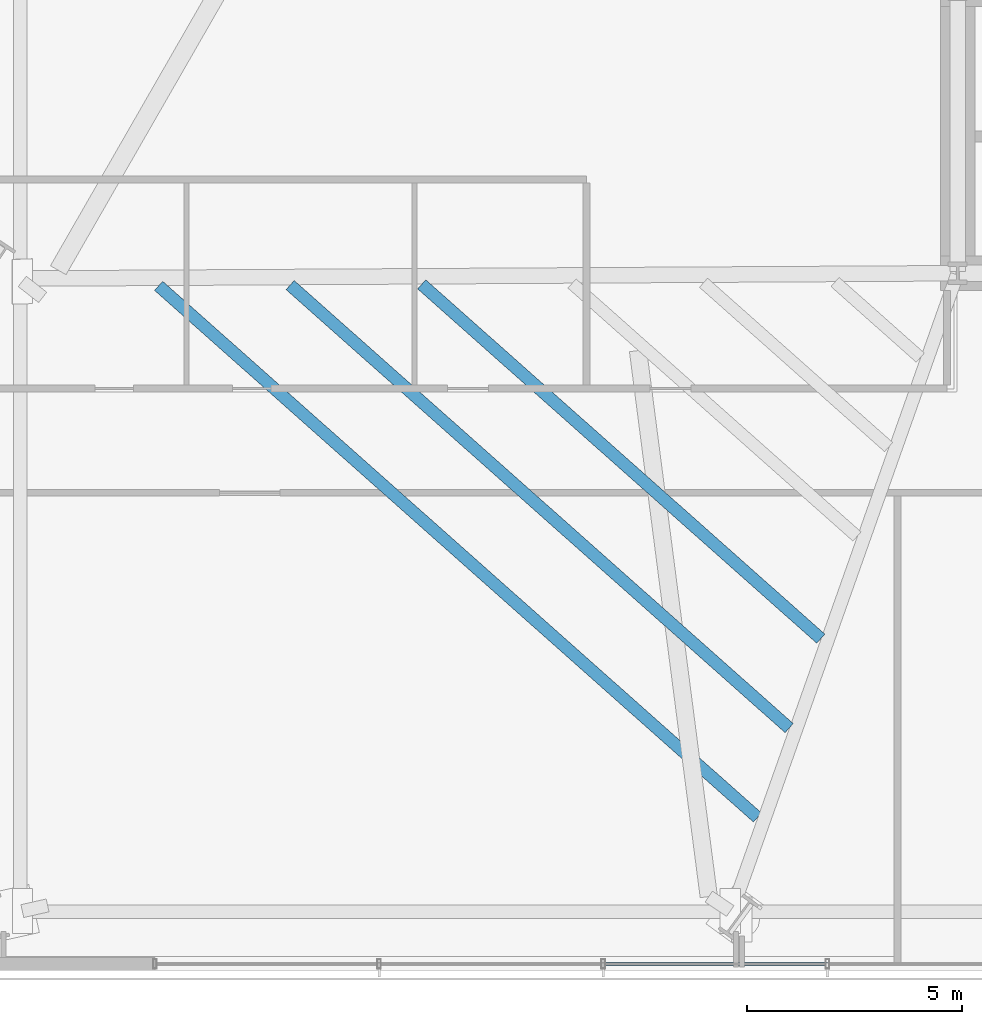
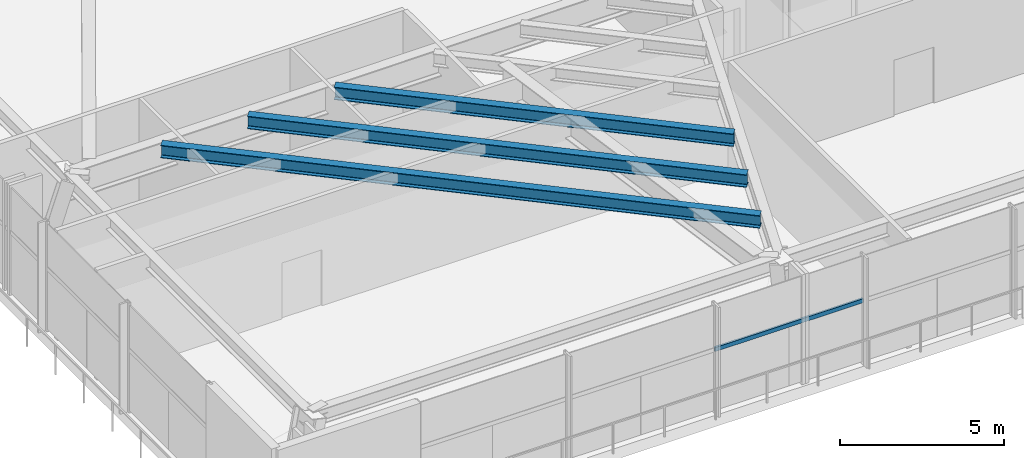
# One storey, part 5 of 33: 3 beams, 1 member, 1 element without a shape of its own.
"""IFC4 building model written with IfcOpenShell, lengths in metres."""

from ifc_helpers import new_model, si_unit, direction, frame, origin, origin_2d, place, context, subcontext, project, spatial, hollow_rectangle, i_section, extrude, source, transform, mapped, material, material_profile, profile_set, type_object, type_shapes, element, aggregate, save


model = new_model("IFC4")

# Units and contexts
model_context = context("Model", 3, precision=1e-05, world=origin(), true_north=direction((0.0, 1.0)))
body_context = subcontext(model_context, "Body", "Model", "MODEL_VIEW")
ifc_project = project(units=[si_unit("LENGTHUNIT", "METRE"), si_unit("AREAUNIT", "SQUARE_METRE"), si_unit("VOLUMEUNIT", "CUBIC_METRE"), si_unit("PLANEANGLEUNIT", "RADIAN"), si_unit("MASSUNIT", "GRAM", prefix="KILO")], contexts=[model_context])

# Site, building, storey
site_placement = place(None, origin())
site = spatial("IfcSite", under=ifc_project, at=site_placement, CompositionType="ELEMENT")
building_placement = place(site_placement, origin())
building = spatial("IfcBuilding", under=site, at=building_placement, Name="Astriad Promenade Condominiums", CompositionType="ELEMENT")
storey_placement = place(building_placement, frame((0.0, 0.0, 9.5)))
storey = spatial("IfcBuildingStorey", under=building, at=storey_placement, Name="L02", CompositionType="ELEMENT", Elevation=9.5)

# Beams
ifc_material_1 = material(Name="Steel ASTM A992 Grade 50", Category="steel")
ifc_material_profile_1 = material_profile(ifc_material_1, i_section(OverallWidth=0.283203125, OverallDepth=0.47216796875, WebThickness=0.013671875, FlangeThickness=0.022216796875, FilletRadius=0.01513671875, at=origin_2d()), Name="W18X97")
ifc_profile_set_1 = profile_set([ifc_material_profile_1], Name="Steel ASTM A992 Grade 50")
beam_type = type_object("IfcBeamType", Name="STEEL FLOOR JOIST W18X97", PredefinedType="JOIST", material=ifc_profile_set_1)
shared_shape_1 = source(origin(), body_context, "Body", "SweptSolid", [
    extrude(i_section(OverallWidth=0.283203125, OverallDepth=0.47216796875, WebThickness=0.013671875, FlangeThickness=0.022216796875, FilletRadius=0.01513671875, at=origin_2d()), origin(), (0.0, 0.0, 1.0), 18.609375),
])
beam_1_placement = place(storey_placement, frame((7.833251953125, 17.106689453125, 3.843994140625), z_axis=(0.747834770837, -0.663884896294, 0.0), x_axis=(0.663884896294, 0.747834770837, 0.0)))
element("IfcBeam", 1, at=beam_1_placement, inside=storey, type_object=beam_type, Name="Secondary Composite Floor Joist JW1-1-L02", PredefinedType="JOIST", context=body_context, shape_type="MappedRepresentation", body=[
    mapped(shared_shape_1, transform((0.0, 0.0, 0.0), scale=1.0)),
])
shared_shape_2 = source(origin(), body_context, "Body", "SweptSolid", [
    extrude(i_section(OverallWidth=0.283203125, OverallDepth=0.47216796875, WebThickness=0.013671875, FlangeThickness=0.022216796875, FilletRadius=0.01513671875, at=origin_2d()), origin(), (0.0, 0.0, 1.0), 15.505859375),
])
beam_2_placement = place(storey_placement, frame((10.889892578125, 17.124267578125, 3.843994140625), z_axis=(0.747828749105, -0.663891679426, 0.0), x_axis=(0.663891679426, 0.747828749105, 0.0)))
element("IfcBeam", 2, at=beam_2_placement, inside=storey, type_object=beam_type, Name="Secondary Composite Floor Joist JW1-2-L02", PredefinedType="JOIST", context=body_context, shape_type="MappedRepresentation", body=[
    mapped(shared_shape_2, transform((0.0, 0.0, 0.0), scale=1.0)),
])
shared_shape_3 = source(origin(), body_context, "Body", "SweptSolid", [
    extrude(i_section(OverallWidth=0.283203125, OverallDepth=0.47216796875, WebThickness=0.013671875, FlangeThickness=0.022216796875, FilletRadius=0.01513671875, at=origin_2d()), origin(), (0.0, 0.0, 1.0), 12.402099609375),
])
type_shapes(beam_type, [shared_shape_1, shared_shape_2, shared_shape_3])
beam_3_placement = place(storey_placement, frame((13.9462890625, 17.1416015625, 3.843994140625), z_axis=(0.747847936212, -0.663870065828, 0.0), x_axis=(0.663870065828, 0.747847936212, 0.0)))
element("IfcBeam", 3, at=beam_3_placement, inside=storey, type_object=beam_type, Name="Secondary Composite Floor Joist JW1-3-L02", PredefinedType="JOIST", context=body_context, shape_type="MappedRepresentation", body=[
    mapped(shared_shape_3, transform((0.0, 0.0, 0.0), scale=1.0)),
])

# Curtain wall, member
ifc_material_2 = material(Name="Anodised aluminium Black Dark Glass Unitised", Category="aluminium")
curtain_wall_type = type_object("IfcCurtainWallType", Name="CW-POD-DARK", PredefinedType="USERDEFINED", material=ifc_material_2)
curtain_wall_placement = place(storey_placement, origin())
curtain_wall = element("IfcCurtainWall", 4, at=curtain_wall_placement, inside=storey, type_object=curtain_wall_type, Name="CW-L02-S", ObjectType="UNITISED_CURTAIN_WALL", PredefinedType="USERDEFINED")
ifc_material_3 = material(Name="Anodised aluminium 6063-T6 Black", Category="aluminium")
ifc_material_profile_2 = material_profile(ifc_material_3, hollow_rectangle(XDim=0.074951171875, YDim=0.14990234375, WallThickness=0.004150390625, at=origin_2d()), Name="ALU-TRN-75X150")
ifc_profile_set_2 = profile_set([ifc_material_profile_2], Name="Anodised aluminium 6063-T6 Black")
member_type = type_object("IfcMemberType", Name="TRN-ALU-TRN-75X150", PredefinedType="USERDEFINED", material=ifc_profile_set_2)
shared_shape_4 = source(origin(), body_context, "Body", "SweptSolid", [
    extrude(hollow_rectangle(XDim=0.074951171875, YDim=0.14990234375, WallThickness=0.004150390625, at=origin_2d()), origin(), (0.0, 0.0, 1.0), 5.208251953125),
])
type_shapes(member_type, [shared_shape_4])
member_placement = place(storey_placement, frame((23.375, 1.35009765625, 2.35009765625), z_axis=(-1.0, 0.0, 0.0), x_axis=(0.0, -1.0, 0.0)))
member = element("IfcMember", 5, at=member_placement, type_object=member_type, Name="CW-L02-S-TRN-09-0", ObjectType="TRANSOM", PredefinedType="USERDEFINED", context=body_context, shape_type="MappedRepresentation", body=[
    mapped(shared_shape_4, transform((0.0, 0.0, 0.0), scale=1.0)),
])
aggregate(curtain_wall, [member])

save(model, "model.ifc")
